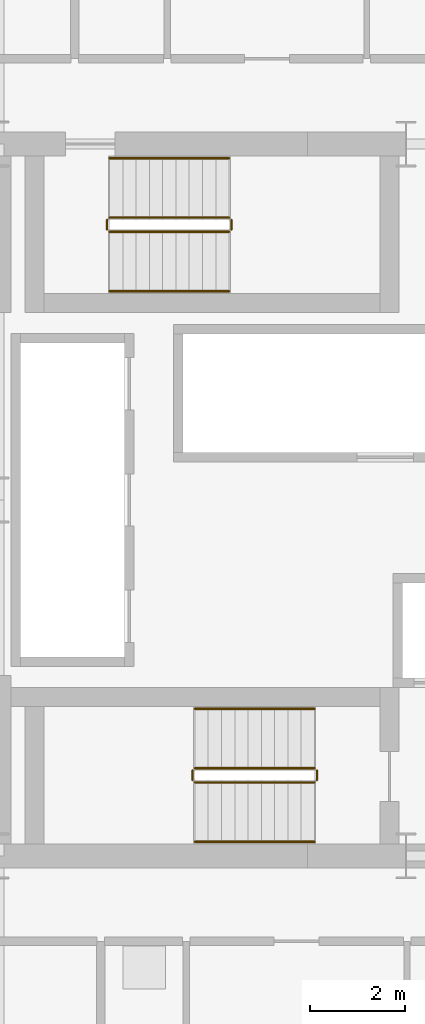
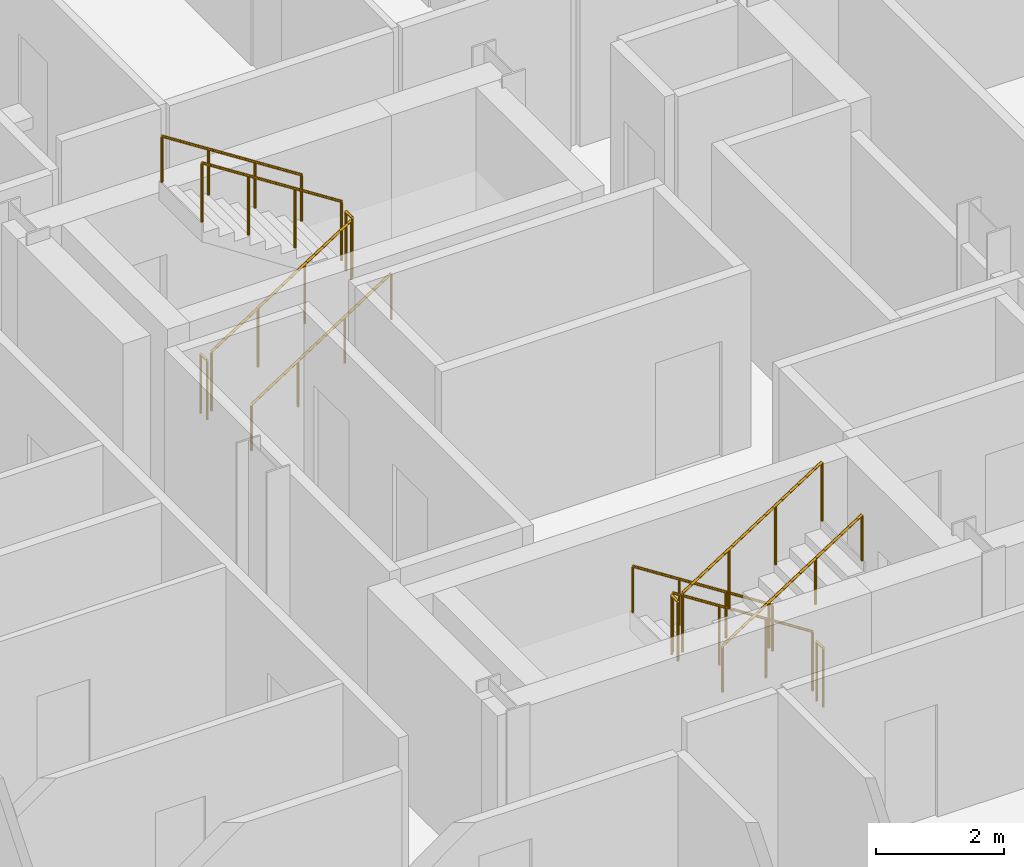
# One storey, part 19 of 20: 12 railings.
"""IFC4 building model written with IfcOpenShell, lengths in metres."""

from ifc_helpers import new_model, si_unit, direction, frame, origin, origin_2d, place, context, subcontext, project, spatial, circle, extrude, material, type_object, element, save


model = new_model("IFC4")

# Units and contexts
model_context = context("Model", 3, precision=1e-05, world=origin(), true_north=direction((0.0, 1.0)))
body_context = subcontext(model_context, "Body", "Model", "MODEL_VIEW")
ifc_project = project(units=[si_unit("LENGTHUNIT", "METRE"), si_unit("AREAUNIT", "SQUARE_METRE"), si_unit("VOLUMEUNIT", "CUBIC_METRE"), si_unit("PLANEANGLEUNIT", "RADIAN"), si_unit("MASSUNIT", "GRAM", prefix="KILO")], contexts=[model_context])

# Site, building, storey
site_placement = place(None, origin())
site = spatial("IfcSite", under=ifc_project, at=site_placement, CompositionType="ELEMENT")
building_placement = place(site_placement, origin())
building = spatial("IfcBuilding", under=site, at=building_placement, Name="Barlavira Tower and Art Museum", CompositionType="ELEMENT")
storey_placement = place(building_placement, frame((0.0, 0.0, 102.60009765625)))
storey = spatial("IfcBuildingStorey", under=building, at=storey_placement, Name="L25", CompositionType="ELEMENT", Elevation=102.60009765625)

# Railings
ifc_material = material(Name="Brushed stainless steel", Category="steel")
railing_type_1 = type_object("IfcRailingType", Name="Interior Void and Landing Guard Railing 1150", PredefinedType="GUARDRAIL", material=ifc_material)
railing_1_placement = place(storey_placement, frame((0.14990234375, -5.64990234375, 0.179931640625)))
element("IfcRailing", 1, at=railing_1_placement, inside=storey, type_object=railing_type_1, Name="L25 ST-T1 stair guard 1", PredefinedType="GUARDRAIL", context=body_context, shape_type="SweptSolid", body=[
    extrude(circle(Radius=0.02392578125, at=origin_2d()), frame((0.0, 0.0, 1.1259765625), z_axis=(-0.841199657755, 0.0, 0.540724639528), x_axis=(0.0, -1.0, 0.0)), (0.0, 0.0, 1.0), 2.995849609375),
    extrude(circle(Radius=0.02099609375, at=origin_2d()), origin(), (0.0, 0.0, 1.0), 1.101806640625),
    extrude(circle(Radius=0.02099609375, at=origin_2d()), frame((-0.840087890625, 0.0, 0.5400390625)), (0.0, 0.0, 1.0), 1.101806640625),
    extrude(circle(Radius=0.02099609375, at=origin_2d()), frame((-1.679931640625, 0.0, 1.079833984375)), (0.0, 0.0, 1.0), 1.101806640625),
    extrude(circle(Radius=0.02099609375, at=origin_2d()), frame((-2.52001953125, 0.0, 1.619873046875)), (0.0, 0.0, 1.0), 1.101806640625),
])
railing_2_placement = place(storey_placement, frame((-2.419921875, -5.699951171875, 1.7998046875)))
element("IfcRailing", 2, at=railing_2_placement, inside=storey, type_object=railing_type_1, Name="L25 ST-T1 stair guard 2", PredefinedType="GUARDRAIL", context=body_context, shape_type="SweptSolid", body=[
    extrude(circle(Radius=0.02392578125, at=origin_2d()), frame((0.0, 0.0, 1.1259765625), z_axis=(0.0, -1.0, 0.0), x_axis=(1.0, 0.0, 0.0)), (0.0, 0.0, 1.0), 0.199951171875),
    extrude(circle(Radius=0.02099609375, at=origin_2d()), origin(), (0.0, 0.0, 1.0), 1.101806640625),
    extrude(circle(Radius=0.02099609375, at=origin_2d()), frame((0.0, -0.199951171875, 0.0)), (0.0, 0.0, 1.0), 1.101806640625),
])
railing_3_placement = place(storey_placement, frame((-2.3701171875, -5.949951171875, 1.97998046875)))
element("IfcRailing", 3, at=railing_3_placement, inside=storey, type_object=railing_type_1, Name="L25 ST-T1 stair guard 3", PredefinedType="GUARDRAIL", context=body_context, shape_type="SweptSolid", body=[
    extrude(circle(Radius=0.02392578125, at=origin_2d()), frame((0.0, 0.0, 1.1259765625), z_axis=(0.841199657755, 0.0, 0.540724639528), x_axis=(0.0, 1.0, 0.0)), (0.0, 0.0, 1.0), 2.995849609375),
    extrude(circle(Radius=0.02099609375, at=origin_2d()), origin(), (0.0, 0.0, 1.0), 1.101806640625),
    extrude(circle(Radius=0.02099609375, at=origin_2d()), frame((0.840087890625, 0.0, 0.5400390625)), (0.0, 0.0, 1.0), 1.101806640625),
    extrude(circle(Radius=0.02099609375, at=origin_2d()), frame((1.679931640625, 0.0, 1.079833984375)), (0.0, 0.0, 1.0), 1.101806640625),
    extrude(circle(Radius=0.02099609375, at=origin_2d()), frame((2.52001953125, 0.0, 1.619873046875)), (0.0, 0.0, 1.0), 1.101806640625),
])
railing_4_placement = place(storey_placement, frame((0.199951171875, -5.699951171875, 0.0)))
element("IfcRailing", 4, at=railing_4_placement, inside=storey, type_object=railing_type_1, Name="L25 ST-T1 stair guard 4", PredefinedType="GUARDRAIL", context=body_context, shape_type="SweptSolid", body=[
    extrude(circle(Radius=0.02392578125, at=origin_2d()), frame((0.0, 0.0, 1.1259765625), z_axis=(0.0, -1.0, 0.0), x_axis=(1.0, 0.0, 0.0)), (0.0, 0.0, 1.0), 0.199951171875),
    extrude(circle(Radius=0.02099609375, at=origin_2d()), origin(), (0.0, 0.0, 1.0), 1.101806640625),
    extrude(circle(Radius=0.02099609375, at=origin_2d()), frame((0.0, -0.199951171875, 0.0)), (0.0, 0.0, 1.0), 1.101806640625),
])
railing_5_placement = place(storey_placement, frame((-4.169921875, 5.64990234375, 0.179931640625)))
element("IfcRailing", 5, at=railing_5_placement, inside=storey, type_object=railing_type_1, Name="L25 ST-T2 stair guard 1", PredefinedType="GUARDRAIL", context=body_context, shape_type="SweptSolid", body=[
    extrude(circle(Radius=0.02392578125, at=origin_2d()), frame((0.0, 0.0, 1.1259765625), z_axis=(0.841199657755, 0.0, 0.540724639528), x_axis=(0.0, 1.0, 0.0)), (0.0, 0.0, 1.0), 2.995849609375),
    extrude(circle(Radius=0.02099609375, at=origin_2d()), origin(), (0.0, 0.0, 1.0), 1.101806640625),
    extrude(circle(Radius=0.02099609375, at=origin_2d()), frame((0.840087890625, 0.0, 0.5400390625)), (0.0, 0.0, 1.0), 1.101806640625),
    extrude(circle(Radius=0.02099609375, at=origin_2d()), frame((1.679931640625, 0.0, 1.079833984375)), (0.0, 0.0, 1.0), 1.101806640625),
    extrude(circle(Radius=0.02099609375, at=origin_2d()), frame((2.52001953125, 0.0, 1.619873046875)), (0.0, 0.0, 1.0), 1.101806640625),
])
railing_6_placement = place(storey_placement, frame((-1.60009765625, 5.699951171875, 1.7998046875)))
element("IfcRailing", 6, at=railing_6_placement, inside=storey, type_object=railing_type_1, Name="L25 ST-T2 stair guard 2", PredefinedType="GUARDRAIL", context=body_context, shape_type="SweptSolid", body=[
    extrude(circle(Radius=0.02392578125, at=origin_2d()), frame((0.0, 0.0, 1.1259765625), z_axis=(0.0, 1.0, 0.0), x_axis=(-1.0, 0.0, 0.0)), (0.0, 0.0, 1.0), 0.199951171875),
    extrude(circle(Radius=0.02099609375, at=origin_2d()), origin(), (0.0, 0.0, 1.0), 1.101806640625),
    extrude(circle(Radius=0.02099609375, at=origin_2d()), frame((0.0, 0.199951171875, 0.0)), (0.0, 0.0, 1.0), 1.101806640625),
])
railing_7_placement = place(storey_placement, frame((-1.64990234375, 5.949951171875, 1.97998046875)))
element("IfcRailing", 7, at=railing_7_placement, inside=storey, type_object=railing_type_1, Name="L25 ST-T2 stair guard 3", PredefinedType="GUARDRAIL", context=body_context, shape_type="SweptSolid", body=[
    extrude(circle(Radius=0.02392578125, at=origin_2d()), frame((0.0, 0.0, 1.1259765625), z_axis=(-0.841199657755, 0.0, 0.540724639528), x_axis=(0.0, -1.0, 0.0)), (0.0, 0.0, 1.0), 2.995849609375),
    extrude(circle(Radius=0.02099609375, at=origin_2d()), origin(), (0.0, 0.0, 1.0), 1.101806640625),
    extrude(circle(Radius=0.02099609375, at=origin_2d()), frame((-0.840087890625, 0.0, 0.5400390625)), (0.0, 0.0, 1.0), 1.101806640625),
    extrude(circle(Radius=0.02099609375, at=origin_2d()), frame((-1.679931640625, 0.0, 1.079833984375)), (0.0, 0.0, 1.0), 1.101806640625),
    extrude(circle(Radius=0.02099609375, at=origin_2d()), frame((-2.52001953125, 0.0, 1.619873046875)), (0.0, 0.0, 1.0), 1.101806640625),
])
railing_8_placement = place(storey_placement, frame((-4.219970703125, 5.699951171875, 0.0)))
element("IfcRailing", 8, at=railing_8_placement, inside=storey, type_object=railing_type_1, Name="L25 ST-T2 stair guard 4", PredefinedType="GUARDRAIL", context=body_context, shape_type="SweptSolid", body=[
    extrude(circle(Radius=0.02392578125, at=origin_2d()), frame((0.0, 0.0, 1.1259765625), z_axis=(0.0, 1.0, 0.0), x_axis=(-1.0, 0.0, 0.0)), (0.0, 0.0, 1.0), 0.199951171875),
    extrude(circle(Radius=0.02099609375, at=origin_2d()), origin(), (0.0, 0.0, 1.0), 1.101806640625),
    extrude(circle(Radius=0.02099609375, at=origin_2d()), frame((0.0, 0.199951171875, 0.0)), (0.0, 0.0, 1.0), 1.101806640625),
])
railing_type_2 = type_object("IfcRailingType", Name="Stair Pitch Tubular Steel Handrail 920", PredefinedType="HANDRAIL", material=ifc_material)
railing_9_placement = place(storey_placement, frame((0.14990234375, -4.39990234375, 0.179931640625)))
element("IfcRailing", 9, at=railing_9_placement, inside=storey, type_object=railing_type_2, Name="L25 ST-T1 stair handrail 1", PredefinedType="HANDRAIL", context=body_context, shape_type="SweptSolid", body=[
    extrude(circle(Radius=0.02392578125, at=origin_2d()), frame((0.0, 0.0, 0.8759765625), z_axis=(-0.841199657755, 0.0, 0.540724639528), x_axis=(0.0, -1.0, 0.0)), (0.0, 0.0, 1.0), 2.995849609375),
    extrude(circle(Radius=0.02099609375, at=origin_2d()), origin(), (0.0, 0.0, 1.0), 0.851806640625),
    extrude(circle(Radius=0.02099609375, at=origin_2d()), frame((-0.840087890625, 0.0, 0.5400390625)), (0.0, 0.0, 1.0), 0.851806640625),
    extrude(circle(Radius=0.02099609375, at=origin_2d()), frame((-1.679931640625, 0.0, 1.079833984375)), (0.0, 0.0, 1.0), 0.851806640625),
    extrude(circle(Radius=0.02099609375, at=origin_2d()), frame((-2.52001953125, 0.0, 1.619873046875)), (0.0, 0.0, 1.0), 0.851806640625),
])
for number, where, name in (
    (10, (-2.3701171875, -7.199951171875, 1.97998046875), "L25 ST-T1 stair handrail 2"),
    (11, (-4.169921875, 4.39990234375, 0.179931640625), "L25 ST-T2 stair handrail 1"),
):
    element("IfcRailing", number, at=place(storey_placement, frame(where)), inside=storey, type_object=railing_type_2, Name=name, PredefinedType="HANDRAIL", context=body_context, shape_type="SweptSolid", body=[
        extrude(circle(Radius=0.02392578125, at=origin_2d()), frame((0.0, 0.0, 0.8759765625), z_axis=(0.841199657755, 0.0, 0.540724639528), x_axis=(0.0, 1.0, 0.0)), (0.0, 0.0, 1.0), 2.995849609375),
        extrude(circle(Radius=0.02099609375, at=origin_2d()), origin(), (0.0, 0.0, 1.0), 0.851806640625),
        extrude(circle(Radius=0.02099609375, at=origin_2d()), frame((0.840087890625, 0.0, 0.5400390625)), (0.0, 0.0, 1.0), 0.851806640625),
        extrude(circle(Radius=0.02099609375, at=origin_2d()), frame((1.679931640625, 0.0, 1.079833984375)), (0.0, 0.0, 1.0), 0.851806640625),
        extrude(circle(Radius=0.02099609375, at=origin_2d()), frame((2.52001953125, 0.0, 1.619873046875)), (0.0, 0.0, 1.0), 0.851806640625),
    ])
railing_10_placement = place(storey_placement, frame((-1.64990234375, 7.199951171875, 1.97998046875)))
element("IfcRailing", 12, at=railing_10_placement, inside=storey, type_object=railing_type_2, Name="L25 ST-T2 stair handrail 2", PredefinedType="HANDRAIL", context=body_context, shape_type="SweptSolid", body=[
    extrude(circle(Radius=0.02392578125, at=origin_2d()), frame((0.0, 0.0, 0.8759765625), z_axis=(-0.841199657755, 0.0, 0.540724639528), x_axis=(0.0, -1.0, 0.0)), (0.0, 0.0, 1.0), 2.995849609375),
    extrude(circle(Radius=0.02099609375, at=origin_2d()), origin(), (0.0, 0.0, 1.0), 0.851806640625),
    extrude(circle(Radius=0.02099609375, at=origin_2d()), frame((-0.840087890625, 0.0, 0.5400390625)), (0.0, 0.0, 1.0), 0.851806640625),
    extrude(circle(Radius=0.02099609375, at=origin_2d()), frame((-1.679931640625, 0.0, 1.079833984375)), (0.0, 0.0, 1.0), 0.851806640625),
    extrude(circle(Radius=0.02099609375, at=origin_2d()), frame((-2.52001953125, 0.0, 1.619873046875)), (0.0, 0.0, 1.0), 0.851806640625),
])

save(model, "model.ifc")
